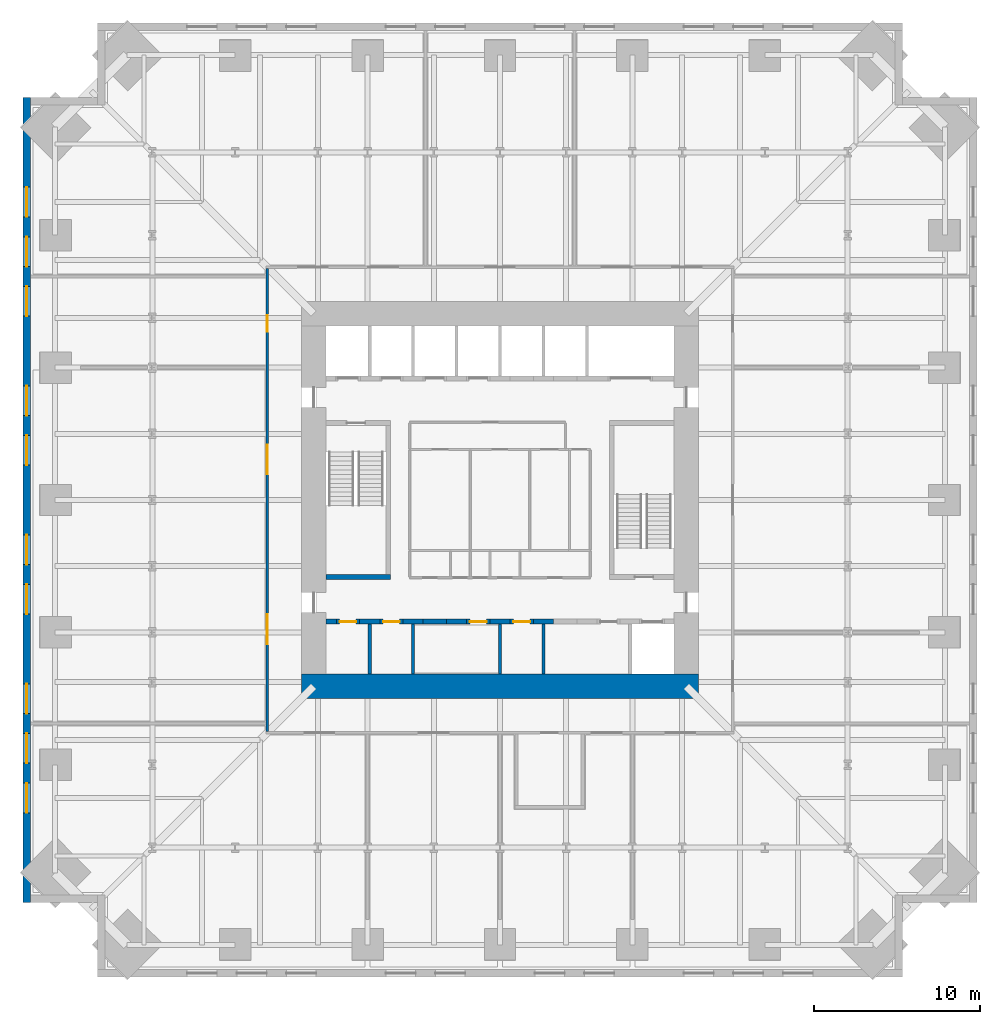
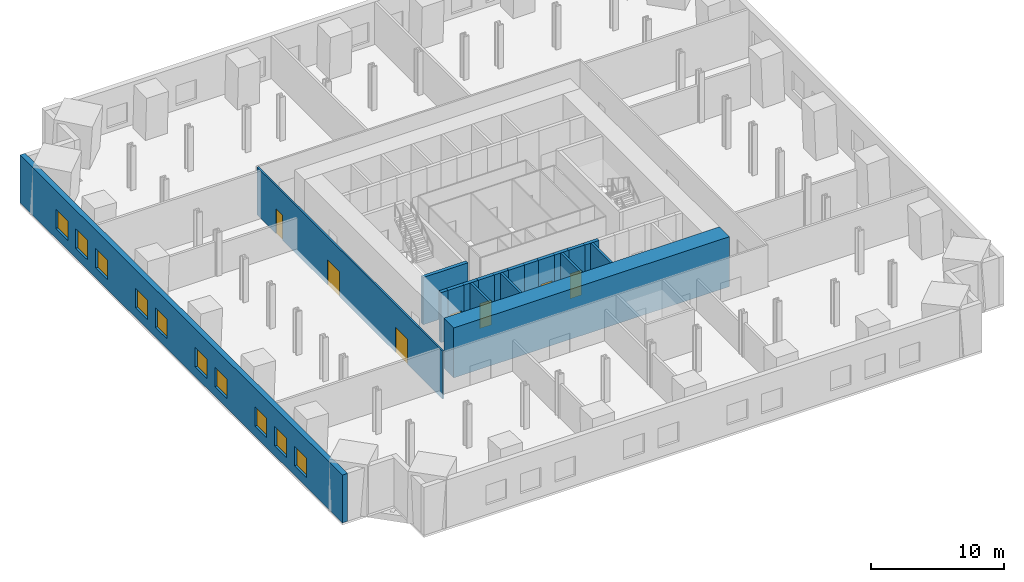
# One storey, part 4 of 9: 19 walls, 10 windows, 7 doors, 17 openings.
"""IFC4 building model written with IfcOpenShell, lengths in metres."""

from ifc_helpers import new_model, si_unit, direction, frame, frame_2d, origin, place, context, subcontext, project, spatial, rectangle, extrude, material, layer, layer_set, type_object, element, fill, save


model = new_model("IFC4")

# Units and contexts
model_context = context("Model", 3, precision=1e-05, world=origin(), true_north=direction((0.0, 1.0)))
body_context = subcontext(model_context, "Body", "Model", "MODEL_VIEW")
ifc_project = project(units=[si_unit("LENGTHUNIT", "METRE"), si_unit("AREAUNIT", "SQUARE_METRE"), si_unit("VOLUMEUNIT", "CUBIC_METRE"), si_unit("PLANEANGLEUNIT", "RADIAN"), si_unit("MASSUNIT", "GRAM", prefix="KILO")], contexts=[model_context])

# Site, building, storey
site_placement = place(None, origin())
site = spatial("IfcSite", under=ifc_project, at=site_placement, CompositionType="ELEMENT")
building_placement = place(site_placement, origin())
building = spatial("IfcBuilding", under=site, at=building_placement, Name="Peilmerk Tower", CompositionType="ELEMENT")
storey_placement = place(building_placement, frame((0.0, 0.0, 99.800048828125)))
storey = spatial("IfcBuildingStorey", under=building, at=storey_placement, Name="L19", CompositionType="ELEMENT", Elevation=99.800048828125)

# Wall, openings, windows
ifc_material_1 = material(Name="Precast concrete C45/55, board-marked finish", Category="concrete")
ifc_layer_1 = layer(ifc_material_1, 0.449951171875)
ifc_layer_set_1 = layer_set([ifc_layer_1], Name="Precast concrete C45/55, board-marked finish")
wall_type_1 = type_object("IfcWallType", Name="EW1 450 precast concrete facade wall, board-marked", PredefinedType="SOLIDWALL", material=ifc_layer_set_1)
wall_1_placement = place(storey_placement, frame((-28.574951171875, 24.300048828125, 0.0), z_axis=(0.0, 0.0, 1.0), x_axis=(0.0, -1.0, 0.0)))
wall_1 = element("IfcWall", 1, at=wall_1_placement, inside=storey, type_object=wall_type_1, Name="Facade wall W L19", PredefinedType="SOLIDWALL", context=body_context, shape_type="SweptSolid", body=[
    extrude(rectangle(XDim=48.60009765625, YDim=0.449951171875, at=frame_2d((24.300048828125, 0.0))), origin(), (0.0, 0.0, 1.0), 4.39990234375),
])
opening_1_placement = place(wall_1_placement, frame((5.39990234375, 0.0, 0.89990234375)))
opening_1 = element("IfcOpeningElement", 2, at=opening_1_placement, cuts=wall_1, Name="Opening W3", PredefinedType="OPENING", context=body_context, shape_type="SweptSolid", body=[
    extrude(rectangle(XDim=1.800048828125, YDim=1.800048828125, at=frame_2d((0.89990234375, 0.89990234375))), frame((0.0, 0.23486328125, 0.0), z_axis=(0.0, -1.0, 0.0), x_axis=(1.0, 0.0, 0.0)), (0.0, 0.0, 1.0), 0.469970703125),
])
opening_2_placement = place(wall_1_placement, frame((8.39990234375, 0.0, 0.89990234375)))
opening_2 = element("IfcOpeningElement", 3, at=opening_2_placement, cuts=wall_1, Name="Opening W3", PredefinedType="OPENING", context=body_context, shape_type="SweptSolid", body=[
    extrude(rectangle(XDim=1.800048828125, YDim=1.800048828125, at=frame_2d((0.89990234375, 0.89990234375))), frame((0.0, 0.23486328125, 0.0), z_axis=(0.0, -1.0, 0.0), x_axis=(1.0, 0.0, 0.0)), (0.0, 0.0, 1.0), 0.469970703125),
])
opening_3_placement = place(wall_1_placement, frame((11.39990234375, 0.0, 0.89990234375)))
opening_3 = element("IfcOpeningElement", 4, at=opening_3_placement, cuts=wall_1, Name="Opening W3", PredefinedType="OPENING", context=body_context, shape_type="SweptSolid", body=[
    extrude(rectangle(XDim=1.800048828125, YDim=1.800048828125, at=frame_2d((0.89990234375, 0.89990234375))), frame((0.0, 0.23486328125, 0.0), z_axis=(0.0, -1.0, 0.0), x_axis=(1.0, 0.0, 0.0)), (0.0, 0.0, 1.0), 0.469970703125),
])
opening_4_placement = place(wall_1_placement, frame((17.39990234375, 0.0, 0.89990234375)))
opening_4 = element("IfcOpeningElement", 5, at=opening_4_placement, cuts=wall_1, Name="Opening W3", PredefinedType="OPENING", context=body_context, shape_type="SweptSolid", body=[
    extrude(rectangle(XDim=1.800048828125, YDim=1.800048828125, at=frame_2d((0.89990234375, 0.89990234375))), frame((0.0, 0.23486328125, 0.0), z_axis=(0.0, -1.0, 0.0), x_axis=(1.0, 0.0, 0.0)), (0.0, 0.0, 1.0), 0.469970703125),
])
opening_5_placement = place(wall_1_placement, frame((20.39990234375, 0.0, 0.89990234375)))
opening_5 = element("IfcOpeningElement", 6, at=opening_5_placement, cuts=wall_1, Name="Opening W3", PredefinedType="OPENING", context=body_context, shape_type="SweptSolid", body=[
    extrude(rectangle(XDim=1.800048828125, YDim=1.800048828125, at=frame_2d((0.89990234375, 0.89990234375))), frame((0.0, 0.23486328125, 0.0), z_axis=(0.0, -1.0, 0.0), x_axis=(1.0, 0.0, 0.0)), (0.0, 0.0, 1.0), 0.469970703125),
])
opening_6_placement = place(wall_1_placement, frame((26.39990234375, 0.0, 0.89990234375)))
opening_6 = element("IfcOpeningElement", 7, at=opening_6_placement, cuts=wall_1, Name="Opening W3", PredefinedType="OPENING", context=body_context, shape_type="SweptSolid", body=[
    extrude(rectangle(XDim=1.800048828125, YDim=1.800048828125, at=frame_2d((0.89990234375, 0.89990234375))), frame((0.0, 0.23486328125, 0.0), z_axis=(0.0, -1.0, 0.0), x_axis=(1.0, 0.0, 0.0)), (0.0, 0.0, 1.0), 0.469970703125),
])
opening_7_placement = place(wall_1_placement, frame((29.39990234375, 0.0, 0.89990234375)))
opening_7 = element("IfcOpeningElement", 8, at=opening_7_placement, cuts=wall_1, Name="Opening W3", PredefinedType="OPENING", context=body_context, shape_type="SweptSolid", body=[
    extrude(rectangle(XDim=1.800048828125, YDim=1.800048828125, at=frame_2d((0.89990234375, 0.89990234375))), frame((0.0, 0.23486328125, 0.0), z_axis=(0.0, -1.0, 0.0), x_axis=(1.0, 0.0, 0.0)), (0.0, 0.0, 1.0), 0.469970703125),
])
opening_8_placement = place(wall_1_placement, frame((35.39990234375, 0.0, 0.89990234375)))
opening_8 = element("IfcOpeningElement", 9, at=opening_8_placement, cuts=wall_1, Name="Opening W3", PredefinedType="OPENING", context=body_context, shape_type="SweptSolid", body=[
    extrude(rectangle(XDim=1.800048828125, YDim=1.800048828125, at=frame_2d((0.89990234375, 0.89990234375))), frame((0.0, 0.23486328125, 0.0), z_axis=(0.0, -1.0, 0.0), x_axis=(1.0, 0.0, 0.0)), (0.0, 0.0, 1.0), 0.469970703125),
])
opening_9_placement = place(wall_1_placement, frame((38.39990234375, 0.0, 0.89990234375)))
opening_9 = element("IfcOpeningElement", 10, at=opening_9_placement, cuts=wall_1, Name="Opening W3", PredefinedType="OPENING", context=body_context, shape_type="SweptSolid", body=[
    extrude(rectangle(XDim=1.800048828125, YDim=1.800048828125, at=frame_2d((0.89990234375, 0.89990234375))), frame((0.0, 0.23486328125, 0.0), z_axis=(0.0, -1.0, 0.0), x_axis=(1.0, 0.0, 0.0)), (0.0, 0.0, 1.0), 0.469970703125),
])
opening_10_placement = place(wall_1_placement, frame((41.39990234375, 0.0, 0.89990234375)))
opening_10 = element("IfcOpeningElement", 11, at=opening_10_placement, cuts=wall_1, Name="Opening W3", PredefinedType="OPENING", context=body_context, shape_type="SweptSolid", body=[
    extrude(rectangle(XDim=1.800048828125, YDim=1.800048828125, at=frame_2d((0.89990234375, 0.89990234375))), frame((0.0, 0.23486328125, 0.0), z_axis=(0.0, -1.0, 0.0), x_axis=(1.0, 0.0, 0.0)), (0.0, 0.0, 1.0), 0.469970703125),
])
ifc_material_2 = material(Name="Aluminium frame, clear double glazing", Category="aluminium")
window_type = type_object("IfcWindowType", Name="W3 1800x1800 telecom floor window", PartitioningType="SINGLE_PANEL", PredefinedType="WINDOW", material=ifc_material_2)
window_1_placement = place(opening_1_placement, origin())
window_1 = element("IfcWindow", 12, at=window_1_placement, inside=storey, type_object=window_type, Name="Window W3 L19", OverallHeight=1.800048828125, OverallWidth=1.800048828125, PartitioningType="SINGLE_PANEL", PredefinedType="WINDOW", context=body_context, shape_type="SweptSolid", body=[
    extrude(rectangle(XDim=1.800048828125, YDim=1.800048828125, at=frame_2d((0.89990234375, 0.89990234375))), frame((0.0, 0.030029296875, 0.0), z_axis=(0.0, -1.0, 0.0), x_axis=(1.0, 0.0, 0.0)), (0.0, 0.0, 1.0), 0.06005859375),
])
fill(opening_1, window_1)
window_2_placement = place(opening_2_placement, origin())
window_2 = element("IfcWindow", 13, at=window_2_placement, inside=storey, type_object=window_type, Name="Window W3 L19", OverallHeight=1.800048828125, OverallWidth=1.800048828125, PartitioningType="SINGLE_PANEL", PredefinedType="WINDOW", context=body_context, shape_type="SweptSolid", body=[
    extrude(rectangle(XDim=1.800048828125, YDim=1.800048828125, at=frame_2d((0.89990234375, 0.89990234375))), frame((0.0, 0.030029296875, 0.0), z_axis=(0.0, -1.0, 0.0), x_axis=(1.0, 0.0, 0.0)), (0.0, 0.0, 1.0), 0.06005859375),
])
fill(opening_2, window_2)
window_3_placement = place(opening_3_placement, origin())
window_3 = element("IfcWindow", 14, at=window_3_placement, inside=storey, type_object=window_type, Name="Window W3 L19", OverallHeight=1.800048828125, OverallWidth=1.800048828125, PartitioningType="SINGLE_PANEL", PredefinedType="WINDOW", context=body_context, shape_type="SweptSolid", body=[
    extrude(rectangle(XDim=1.800048828125, YDim=1.800048828125, at=frame_2d((0.89990234375, 0.89990234375))), frame((0.0, 0.030029296875, 0.0), z_axis=(0.0, -1.0, 0.0), x_axis=(1.0, 0.0, 0.0)), (0.0, 0.0, 1.0), 0.06005859375),
])
fill(opening_3, window_3)
window_4_placement = place(opening_4_placement, origin())
window_4 = element("IfcWindow", 15, at=window_4_placement, inside=storey, type_object=window_type, Name="Window W3 L19", OverallHeight=1.800048828125, OverallWidth=1.800048828125, PartitioningType="SINGLE_PANEL", PredefinedType="WINDOW", context=body_context, shape_type="SweptSolid", body=[
    extrude(rectangle(XDim=1.800048828125, YDim=1.800048828125, at=frame_2d((0.89990234375, 0.89990234375))), frame((0.0, 0.030029296875, 0.0), z_axis=(0.0, -1.0, 0.0), x_axis=(1.0, 0.0, 0.0)), (0.0, 0.0, 1.0), 0.06005859375),
])
fill(opening_4, window_4)
window_5_placement = place(opening_5_placement, origin())
window_5 = element("IfcWindow", 16, at=window_5_placement, inside=storey, type_object=window_type, Name="Window W3 L19", OverallHeight=1.800048828125, OverallWidth=1.800048828125, PartitioningType="SINGLE_PANEL", PredefinedType="WINDOW", context=body_context, shape_type="SweptSolid", body=[
    extrude(rectangle(XDim=1.800048828125, YDim=1.800048828125, at=frame_2d((0.89990234375, 0.89990234375))), frame((0.0, 0.030029296875, 0.0), z_axis=(0.0, -1.0, 0.0), x_axis=(1.0, 0.0, 0.0)), (0.0, 0.0, 1.0), 0.06005859375),
])
fill(opening_5, window_5)
window_6_placement = place(opening_6_placement, origin())
window_6 = element("IfcWindow", 17, at=window_6_placement, inside=storey, type_object=window_type, Name="Window W3 L19", OverallHeight=1.800048828125, OverallWidth=1.800048828125, PartitioningType="SINGLE_PANEL", PredefinedType="WINDOW", context=body_context, shape_type="SweptSolid", body=[
    extrude(rectangle(XDim=1.800048828125, YDim=1.800048828125, at=frame_2d((0.89990234375, 0.89990234375))), frame((0.0, 0.030029296875, 0.0), z_axis=(0.0, -1.0, 0.0), x_axis=(1.0, 0.0, 0.0)), (0.0, 0.0, 1.0), 0.06005859375),
])
fill(opening_6, window_6)
window_7_placement = place(opening_7_placement, origin())
window_7 = element("IfcWindow", 18, at=window_7_placement, inside=storey, type_object=window_type, Name="Window W3 L19", OverallHeight=1.800048828125, OverallWidth=1.800048828125, PartitioningType="SINGLE_PANEL", PredefinedType="WINDOW", context=body_context, shape_type="SweptSolid", body=[
    extrude(rectangle(XDim=1.800048828125, YDim=1.800048828125, at=frame_2d((0.89990234375, 0.89990234375))), frame((0.0, 0.030029296875, 0.0), z_axis=(0.0, -1.0, 0.0), x_axis=(1.0, 0.0, 0.0)), (0.0, 0.0, 1.0), 0.06005859375),
])
fill(opening_7, window_7)
window_8_placement = place(opening_8_placement, origin())
window_8 = element("IfcWindow", 19, at=window_8_placement, inside=storey, type_object=window_type, Name="Window W3 L19", OverallHeight=1.800048828125, OverallWidth=1.800048828125, PartitioningType="SINGLE_PANEL", PredefinedType="WINDOW", context=body_context, shape_type="SweptSolid", body=[
    extrude(rectangle(XDim=1.800048828125, YDim=1.800048828125, at=frame_2d((0.89990234375, 0.89990234375))), frame((0.0, 0.030029296875, 0.0), z_axis=(0.0, -1.0, 0.0), x_axis=(1.0, 0.0, 0.0)), (0.0, 0.0, 1.0), 0.06005859375),
])
fill(opening_8, window_8)
window_9_placement = place(opening_9_placement, origin())
window_9 = element("IfcWindow", 20, at=window_9_placement, inside=storey, type_object=window_type, Name="Window W3 L19", OverallHeight=1.800048828125, OverallWidth=1.800048828125, PartitioningType="SINGLE_PANEL", PredefinedType="WINDOW", context=body_context, shape_type="SweptSolid", body=[
    extrude(rectangle(XDim=1.800048828125, YDim=1.800048828125, at=frame_2d((0.89990234375, 0.89990234375))), frame((0.0, 0.030029296875, 0.0), z_axis=(0.0, -1.0, 0.0), x_axis=(1.0, 0.0, 0.0)), (0.0, 0.0, 1.0), 0.06005859375),
])
fill(opening_9, window_9)
window_10_placement = place(opening_10_placement, origin())
window_10 = element("IfcWindow", 21, at=window_10_placement, inside=storey, type_object=window_type, Name="Window W3 L19", OverallHeight=1.800048828125, OverallWidth=1.800048828125, PartitioningType="SINGLE_PANEL", PredefinedType="WINDOW", context=body_context, shape_type="SweptSolid", body=[
    extrude(rectangle(XDim=1.800048828125, YDim=1.800048828125, at=frame_2d((0.89990234375, 0.89990234375))), frame((0.0, 0.030029296875, 0.0), z_axis=(0.0, -1.0, 0.0), x_axis=(1.0, 0.0, 0.0)), (0.0, 0.0, 1.0), 0.06005859375),
])
fill(opening_10, window_10)

# Wall, openings, doors
ifc_material_3 = material(Name="Calcium silicate block", Category="masonry")
ifc_layer_2 = layer(ifc_material_3, 0.14990234375)
ifc_layer_set_2 = layer_set([ifc_layer_2], Name="Calcium silicate block")
wall_type_2 = type_object("IfcWallType", Name="IW1 150 corridor partition, EI 60", PredefinedType="PARTITIONING", material=ifc_layer_set_2)
wall_2_placement = place(storey_placement, frame((-14.050048828125, 13.97509765625, 0.0), z_axis=(0.0, 0.0, 1.0), x_axis=(0.0, -1.0, 0.0)))
wall_2 = element("IfcWall", 22, at=wall_2_placement, inside=storey, type_object=wall_type_2, Name="Corridor wall W L19", PredefinedType="PARTITIONING", context=body_context, shape_type="SweptSolid", body=[
    extrude(rectangle(XDim=27.9501953125, YDim=0.14990234375, at=frame_2d((13.97509765625, 0.0))), origin(), (0.0, 0.0, 1.0), 4.39990234375),
])
opening_11_placement = place(wall_2_placement, frame((20.875, 0.0, 0.0)))
opening_11 = element("IfcOpeningElement", 23, at=opening_11_placement, cuts=wall_2, Name="Opening D2", PredefinedType="OPENING", context=body_context, shape_type="SweptSolid", body=[
    extrude(rectangle(XDim=1.800048828125, YDim=2.300048828125, at=frame_2d((0.89990234375, 1.14990234375))), frame((0.0, 0.0849609375, 0.0), z_axis=(0.0, -1.0, 0.0), x_axis=(1.0, 0.0, 0.0)), (0.0, 0.0, 1.0), 0.169921875),
])
opening_12_placement = place(wall_2_placement, frame((10.625, 0.0, 0.0)))
opening_12 = element("IfcOpeningElement", 24, at=opening_12_placement, cuts=wall_2, Name="Opening D2", PredefinedType="OPENING", context=body_context, shape_type="SweptSolid", body=[
    extrude(rectangle(XDim=1.800048828125, YDim=2.300048828125, at=frame_2d((0.89990234375, 1.14990234375))), frame((0.0, 0.0849609375, 0.0), z_axis=(0.0, -1.0, 0.0), x_axis=(1.0, 0.0, 0.0)), (0.0, 0.0, 1.0), 0.169921875),
])
opening_13_placement = place(wall_2_placement, frame((2.824951171875, 0.0, 0.0)))
opening_13 = element("IfcOpeningElement", 25, at=opening_13_placement, cuts=wall_2, Name="Opening D1", PredefinedType="OPENING", context=body_context, shape_type="SweptSolid", body=[
    extrude(rectangle(XDim=1.0, YDim=2.300048828125, at=frame_2d((0.5, 1.14990234375))), frame((0.0, 0.0849609375, 0.0), z_axis=(0.0, -1.0, 0.0), x_axis=(1.0, 0.0, 0.0)), (0.0, 0.0, 1.0), 0.169921875),
])
ifc_material_4 = material(Name="Timber door in steel frame", Category="steel")
door_type_1 = type_object("IfcDoorType", Name="D1 1000x2300 room door, EI2 30", OperationType="SINGLE_SWING_LEFT", PredefinedType="DOOR", material=ifc_material_4)
door_1_placement = place(opening_13_placement, frame((1.0, 0.0, 0.0), z_axis=(0.0, 0.0, 1.0), x_axis=(-1.0, 0.0, 0.0)))
door_1 = element("IfcDoor", 26, at=door_1_placement, inside=storey, type_object=door_type_1, Name="Door Store L19", OperationType="SINGLE_SWING_LEFT", OverallHeight=2.300048828125, OverallWidth=1.0, PredefinedType="DOOR", context=body_context, shape_type="SweptSolid", body=[
    extrude(rectangle(XDim=1.0, YDim=2.300048828125, at=frame_2d((0.5, 1.14990234375))), frame((0.0, 0.02490234375, 0.0), z_axis=(0.0, -1.0, 0.0), x_axis=(1.0, 0.0, 0.0)), (0.0, 0.0, 1.0), 0.050048828125),
])
fill(opening_13, door_1)
ifc_material_5 = material(Name="Steel door in steel frame", Category="steel")
door_type_2 = type_object("IfcDoorType", Name="D2 1800x2300 double door, EI2 60", OperationType="DOUBLE_DOOR_DOUBLE_SWING", PredefinedType="DOOR", material=ifc_material_5)
door_2_placement = place(opening_11_placement, frame((1.800048828125, 0.0, 0.0), z_axis=(0.0, 0.0, 1.0), x_axis=(-1.0, 0.0, 0.0)))
door_2 = element("IfcDoor", 27, at=door_2_placement, inside=storey, type_object=door_type_2, Name="Door Network room L19", OperationType="DOUBLE_DOOR_DOUBLE_SWING", OverallHeight=2.300048828125, OverallWidth=1.800048828125, PredefinedType="DOOR", context=body_context, shape_type="SweptSolid", body=[
    extrude(rectangle(XDim=1.800048828125, YDim=2.300048828125, at=frame_2d((0.89990234375, 1.14990234375))), frame((0.0, 0.02490234375, 0.0), z_axis=(0.0, -1.0, 0.0), x_axis=(1.0, 0.0, 0.0)), (0.0, 0.0, 1.0), 0.050048828125),
])
fill(opening_11, door_2)
door_3_placement = place(opening_12_placement, frame((1.800048828125, 0.0, 0.0), z_axis=(0.0, 0.0, 1.0), x_axis=(-1.0, 0.0, 0.0)))
door_3 = element("IfcDoor", 28, at=door_3_placement, inside=storey, type_object=door_type_2, Name="Door Network room L19", OperationType="DOUBLE_DOOR_DOUBLE_SWING", OverallHeight=2.300048828125, OverallWidth=1.800048828125, PredefinedType="DOOR", context=body_context, shape_type="SweptSolid", body=[
    extrude(rectangle(XDim=1.800048828125, YDim=2.300048828125, at=frame_2d((0.89990234375, 1.14990234375))), frame((0.0, 0.02490234375, 0.0), z_axis=(0.0, -1.0, 0.0), x_axis=(1.0, 0.0, 0.0)), (0.0, 0.0, 1.0), 0.050048828125),
])
fill(opening_12, door_3)

# Walls
ifc_material_6 = material(Name="Concrete C35/45", Category="concrete")
ifc_layer_3 = layer(ifc_material_6, 0.300048828125)
ifc_layer_set_3 = layer_set([ifc_layer_3], Name="Concrete C35/45")
wall_type_3 = type_object("IfcWallType", Name="IW3 300 concrete stair enclosure wall, EI 120", PredefinedType="SOLIDWALL", material=ifc_layer_set_3)
wall_3_placement = place(storey_placement, frame((-6.60009765625, -4.64990234375, 0.0), z_axis=(0.0, 0.0, 1.0), x_axis=(-1.0, 0.0, 0.0)))
element("IfcWall", 29, at=wall_3_placement, inside=storey, type_object=wall_type_3, Name="Stair 1 enclosure L19", PredefinedType="SOLIDWALL", context=body_context, shape_type="SweptSolid", body=[
    extrude(rectangle(XDim=3.89990234375, YDim=0.300048828125, at=frame_2d((1.949951171875, 0.0))), origin(), (0.0, 0.0, 1.0), 4.349853515625),
])
ifc_layer_4 = layer(ifc_material_3, 0.199951171875)
ifc_layer_set_4 = layer_set([ifc_layer_4], Name="Calcium silicate block")
wall_type_4 = type_object("IfcWallType", Name="SH1 200 shaft dividing wall, EI 120", PredefinedType="PARTITIONING", material=ifc_layer_set_4)
for number, where, z_axis, x_axis, name in (
    (30, (-7.875, -10.5, 0.0), (0.0, 0.0, 1.0), (0.0, 1.0, 0.0), "Shaft wall S C4 L19"),
    (31, (-5.25, -10.5, 0.0), (0.0, 0.0, 1.0), (0.0, 1.0, 0.0), "Shaft wall S C3 L19"),
    (32, (0.0, -10.5, 0.0), (0.0, 0.0, 1.0), (0.0, 1.0, 0.0), "Shaft wall S C1 L19"),
    (33, (2.625, -10.5, 0.0), (0.0, 0.0, 1.0), (0.0, 1.0, 0.0), "Shaft wall S B3 L19"),
):
    element("IfcWall", number, at=place(storey_placement, frame(where, z_axis=z_axis, x_axis=x_axis)), inside=storey, type_object=wall_type_4, Name=name, PredefinedType="PARTITIONING", context=body_context, shape_type="SweptSolid", body=[
        extrude(rectangle(XDim=3.0, YDim=0.199951171875, at=frame_2d((1.5, 0.0))), origin(), (0.0, 0.0, 1.0), 4.599853515625),
    ])

# Wall, opening, door
ifc_layer_5 = layer(ifc_material_3, 0.300048828125)
ifc_layer_set_5 = layer_set([ifc_layer_5], Name="Calcium silicate block")
wall_type_5 = type_object("IfcWallType", Name="SH2 300 lift landing door panel, EI 120", PredefinedType="PARTITIONING", material=ifc_layer_set_5)
wall_4_placement = place(storey_placement, frame((-9.887451171875, -7.35009765625, 0.0), z_axis=(0.0, 0.0, 1.0), x_axis=(1.0, 0.0, 0.0)))
wall_4 = element("IfcWall", 34, at=wall_4_placement, inside=storey, type_object=wall_type_5, Name="Lift door panel S C4 L19", PredefinedType="PARTITIONING", context=body_context, shape_type="SweptSolid", body=[
    extrude(rectangle(XDim=1.39990234375, YDim=0.300048828125, at=frame_2d((0.699951171875, 0.0))), origin(), (0.0, 0.0, 1.0), 4.599853515625),
])
opening_14_placement = place(wall_4_placement, frame((0.199951171875, 0.0, 0.0)))
opening_14 = element("IfcOpeningElement", 35, at=opening_14_placement, cuts=wall_4, Name="Opening D10", PredefinedType="OPENING", context=body_context, shape_type="SweptSolid", body=[
    extrude(rectangle(XDim=1.0, YDim=2.300048828125, at=frame_2d((0.5, 1.14990234375))), frame((0.0, 0.159912109375, 0.0), z_axis=(0.0, -1.0, 0.0), x_axis=(1.0, 0.0, 0.0)), (0.0, 0.0, 1.0), 0.320068359375),
])
door_type_3 = type_object("IfcDoorType", Name="D10 1000x2300 core room door, EI2 60", OperationType="SINGLE_SWING_RIGHT", PredefinedType="DOOR", material=ifc_material_5)
door_4_placement = place(opening_14_placement, frame((1.0, 0.0, 0.0), z_axis=(0.0, 0.0, 1.0), x_axis=(-1.0, 0.0, 0.0)))
door_4 = element("IfcDoor", 36, at=door_4_placement, inside=storey, type_object=door_type_3, Name="Door Housekeeping store L19", OperationType="SINGLE_SWING_RIGHT", OverallHeight=2.300048828125, OverallWidth=1.0, PredefinedType="DOOR", context=body_context, shape_type="SweptSolid", body=[
    extrude(rectangle(XDim=1.0, YDim=2.300048828125, at=frame_2d((0.5, 1.14990234375))), frame((0.0, 0.02490234375, 0.0), z_axis=(0.0, -1.0, 0.0), x_axis=(1.0, 0.0, 0.0)), (0.0, 0.0, 1.0), 0.050048828125),
])
fill(opening_14, door_4)

wall_5_placement = place(storey_placement, frame((-7.262451171875, -7.35009765625, 0.0), z_axis=(0.0, 0.0, 1.0), x_axis=(1.0, 0.0, 0.0)))
wall_5 = element("IfcWall", 37, at=wall_5_placement, inside=storey, type_object=wall_type_5, Name="Lift door panel S C3 L19", PredefinedType="PARTITIONING", context=body_context, shape_type="SweptSolid", body=[
    extrude(rectangle(XDim=1.39990234375, YDim=0.300048828125, at=frame_2d((0.699951171875, 0.0))), origin(), (0.0, 0.0, 1.0), 4.599853515625),
])
opening_15_placement = place(wall_5_placement, frame((0.199951171875, 0.0, 0.0)))
opening_15 = element("IfcOpeningElement", 38, at=opening_15_placement, cuts=wall_5, Name="Opening D10", PredefinedType="OPENING", context=body_context, shape_type="SweptSolid", body=[
    extrude(rectangle(XDim=1.0, YDim=2.300048828125, at=frame_2d((0.5, 1.14990234375))), frame((0.0, 0.159912109375, 0.0), z_axis=(0.0, -1.0, 0.0), x_axis=(1.0, 0.0, 0.0)), (0.0, 0.0, 1.0), 0.320068359375),
])
door_5_placement = place(opening_15_placement, frame((1.0, 0.0, 0.0), z_axis=(0.0, 0.0, 1.0), x_axis=(-1.0, 0.0, 0.0)))
door_5 = element("IfcDoor", 39, at=door_5_placement, inside=storey, type_object=door_type_3, Name="Door Water meter room L19", OperationType="SINGLE_SWING_RIGHT", OverallHeight=2.300048828125, OverallWidth=1.0, PredefinedType="DOOR", context=body_context, shape_type="SweptSolid", body=[
    extrude(rectangle(XDim=1.0, YDim=2.300048828125, at=frame_2d((0.5, 1.14990234375))), frame((0.0, 0.02490234375, 0.0), z_axis=(0.0, -1.0, 0.0), x_axis=(1.0, 0.0, 0.0)), (0.0, 0.0, 1.0), 0.050048828125),
])
fill(opening_15, door_5)

# Wall
wall_6_placement = place(storey_placement, frame((-4.637451171875, -7.35009765625, 0.0), z_axis=(0.0, 0.0, 1.0), x_axis=(1.0, 0.0, 0.0)))
element("IfcWall", 40, at=wall_6_placement, inside=storey, type_object=wall_type_5, Name="Lift door panel S C2 L19", PredefinedType="PARTITIONING", context=body_context, shape_type="SweptSolid", body=[
    extrude(rectangle(XDim=1.39990234375, YDim=0.300048828125, at=frame_2d((0.699951171875, 0.0))), origin(), (0.0, 0.0, 1.0), 4.599853515625),
])

# Wall, opening, door
wall_7_placement = place(storey_placement, frame((-2.012451171875, -7.35009765625, 0.0), z_axis=(0.0, 0.0, 1.0), x_axis=(1.0, 0.0, 0.0)))
wall_7 = element("IfcWall", 41, at=wall_7_placement, inside=storey, type_object=wall_type_5, Name="Lift door panel S C1 L19", PredefinedType="PARTITIONING", context=body_context, shape_type="SweptSolid", body=[
    extrude(rectangle(XDim=1.39990234375, YDim=0.300048828125, at=frame_2d((0.699951171875, 0.0))), origin(), (0.0, 0.0, 1.0), 4.599853515625),
])
opening_16_placement = place(wall_7_placement, frame((0.199951171875, 0.0, 0.0)))
opening_16 = element("IfcOpeningElement", 42, at=opening_16_placement, cuts=wall_7, Name="Opening D10", PredefinedType="OPENING", context=body_context, shape_type="SweptSolid", body=[
    extrude(rectangle(XDim=1.0, YDim=2.300048828125, at=frame_2d((0.5, 1.14990234375))), frame((0.0, 0.159912109375, 0.0), z_axis=(0.0, -1.0, 0.0), x_axis=(1.0, 0.0, 0.0)), (0.0, 0.0, 1.0), 0.320068359375),
])
door_6_placement = place(opening_16_placement, frame((1.0, 0.0, 0.0), z_axis=(0.0, 0.0, 1.0), x_axis=(-1.0, 0.0, 0.0)))
door_6 = element("IfcDoor", 43, at=door_6_placement, inside=storey, type_object=door_type_3, Name="Door Back-of-house office L19", OperationType="SINGLE_SWING_RIGHT", OverallHeight=2.300048828125, OverallWidth=1.0, PredefinedType="DOOR", context=body_context, shape_type="SweptSolid", body=[
    extrude(rectangle(XDim=1.0, YDim=2.300048828125, at=frame_2d((0.5, 1.14990234375))), frame((0.0, 0.02490234375, 0.0), z_axis=(0.0, -1.0, 0.0), x_axis=(1.0, 0.0, 0.0)), (0.0, 0.0, 1.0), 0.050048828125),
])
fill(opening_16, door_6)

wall_8_placement = place(storey_placement, frame((0.612548828125, -7.35009765625, 0.0), z_axis=(0.0, 0.0, 1.0), x_axis=(1.0, 0.0, 0.0)))
wall_8 = element("IfcWall", 44, at=wall_8_placement, inside=storey, type_object=wall_type_5, Name="Lift door panel S B3 L19", PredefinedType="PARTITIONING", context=body_context, shape_type="SweptSolid", body=[
    extrude(rectangle(XDim=1.39990234375, YDim=0.300048828125, at=frame_2d((0.699951171875, 0.0))), origin(), (0.0, 0.0, 1.0), 4.599853515625),
])
opening_17_placement = place(wall_8_placement, frame((0.199951171875, 0.0, 0.0)))
opening_17 = element("IfcOpeningElement", 45, at=opening_17_placement, cuts=wall_8, Name="Opening D10", PredefinedType="OPENING", context=body_context, shape_type="SweptSolid", body=[
    extrude(rectangle(XDim=1.0, YDim=2.300048828125, at=frame_2d((0.5, 1.14990234375))), frame((0.0, 0.159912109375, 0.0), z_axis=(0.0, -1.0, 0.0), x_axis=(1.0, 0.0, 0.0)), (0.0, 0.0, 1.0), 0.320068359375),
])
door_7_placement = place(opening_17_placement, frame((1.0, 0.0, 0.0), z_axis=(0.0, 0.0, 1.0), x_axis=(-1.0, 0.0, 0.0)))
door_7 = element("IfcDoor", 46, at=door_7_placement, inside=storey, type_object=door_type_3, Name="Door Staff WC L19", OperationType="SINGLE_SWING_RIGHT", OverallHeight=2.300048828125, OverallWidth=1.0, PredefinedType="DOOR", context=body_context, shape_type="SweptSolid", body=[
    extrude(rectangle(XDim=1.0, YDim=2.300048828125, at=frame_2d((0.5, 1.14990234375))), frame((0.0, 0.02490234375, 0.0), z_axis=(0.0, -1.0, 0.0), x_axis=(1.0, 0.0, 0.0)), (0.0, 0.0, 1.0), 0.050048828125),
])
fill(opening_17, door_7)

# Walls
ifc_material_7 = material(Name="Concrete C55/67", Category="concrete")
ifc_layer_6 = layer(ifc_material_7, 1.5)
ifc_layer_set_6 = layer_set([ifc_layer_6], Name="Concrete C55/67")
wall_type_6 = type_object("IfcWallType", Name="SW1 1500 core wall", PredefinedType="SHEAR", material=ifc_layer_set_6)
wall_9_placement = place(storey_placement, frame((12.0, -11.25, 0.0), z_axis=(0.0, 0.0, 1.0), x_axis=(-1.0, 0.0, 0.0)))
element("IfcWall", 47, at=wall_9_placement, inside=storey, type_object=wall_type_6, Name="Core wall S L19", PredefinedType="SHEAR", context=body_context, shape_type="SweptSolid", body=[
    extrude(rectangle(XDim=24.0, YDim=1.5, at=frame_2d((12.0, 0.0))), origin(), (0.0, 0.0, 1.0), 4.599853515625),
])
ifc_layer_7 = layer(ifc_material_7, 0.300048828125)
ifc_layer_set_7 = layer_set([ifc_layer_7], Name="Concrete C55/67")
wall_type_7 = type_object("IfcWallType", Name="SW2 300 lift bank pier", PredefinedType="SHEAR", material=ifc_layer_set_7)
wall_10_placement = place(storey_placement, frame((-10.5, -7.35009765625, 0.0), z_axis=(0.0, 0.0, 1.0), x_axis=(1.0, 0.0, 0.0)))
element("IfcWall", 48, at=wall_10_placement, inside=storey, type_object=wall_type_7, Name="Lift bank pier S L19", PredefinedType="SHEAR", context=body_context, shape_type="SweptSolid", body=[
    extrude(rectangle(XDim=0.612548828125, YDim=0.300048828125, at=frame_2d((0.30615234375, 0.0))), origin(), (0.0, 0.0, 1.0), 4.599853515625),
])
for number, where, z_axis, x_axis, name in (
    (49, (-8.487548828125, -7.35009765625, 0.0), (0.0, 0.0, 1.0), (1.0, 0.0, 0.0), "Lift bank pier S L19"),
    (50, (-5.862548828125, -7.35009765625, 0.0), (0.0, 0.0, 1.0), (1.0, 0.0, 0.0), "Lift bank pier S L19"),
    (51, (-3.237548828125, -7.35009765625, 0.0), (0.0, 0.0, 1.0), (1.0, 0.0, 0.0), "Lift bank pier S L19"),
    (52, (-0.612548828125, -7.35009765625, 0.0), (0.0, 0.0, 1.0), (1.0, 0.0, 0.0), "Lift bank pier S L19"),
    (53, (2.012451171875, -7.35009765625, 0.0), (0.0, 0.0, 1.0), (1.0, 0.0, 0.0), "Lift bank pier S L19"),
):
    element("IfcWall", number, at=place(storey_placement, frame(where, z_axis=z_axis, x_axis=x_axis)), inside=storey, type_object=wall_type_7, Name=name, PredefinedType="SHEAR", context=body_context, shape_type="SweptSolid", body=[
        extrude(rectangle(XDim=1.22509765625, YDim=0.300048828125, at=frame_2d((0.612548828125, 0.0))), origin(), (0.0, 0.0, 1.0), 4.599853515625),
    ])

save(model, "model.ifc")
